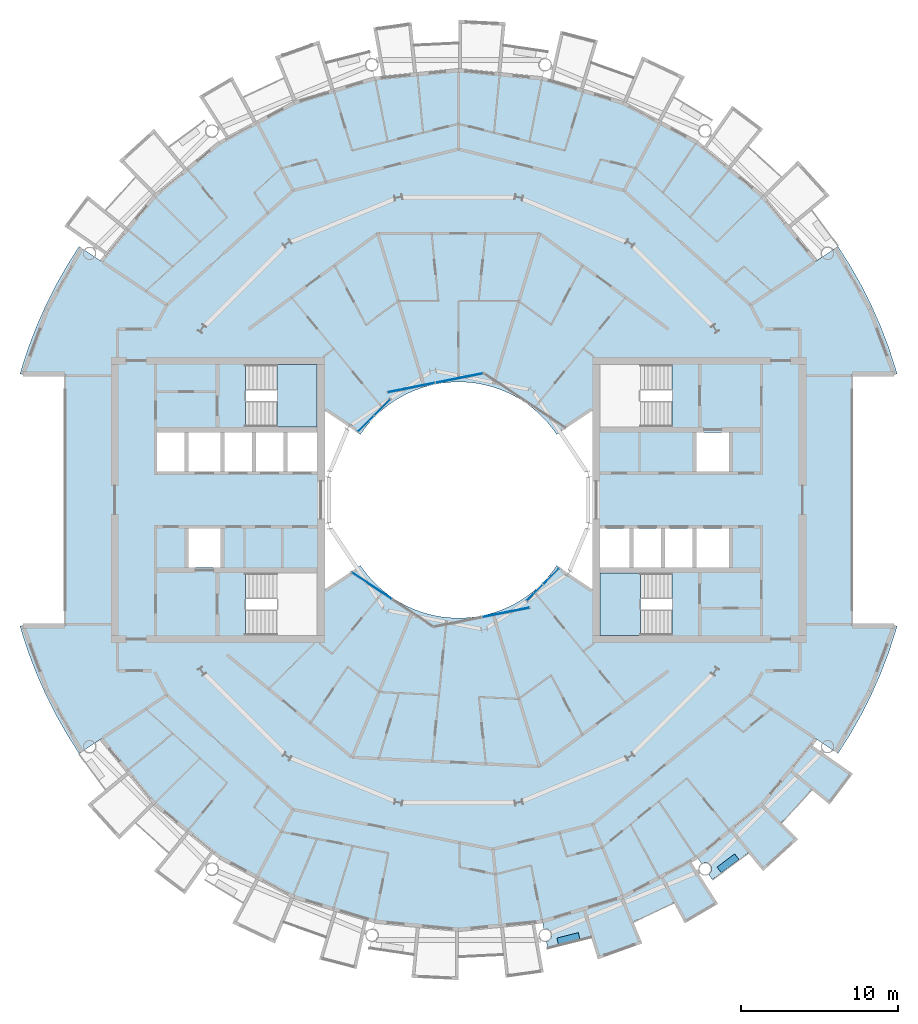
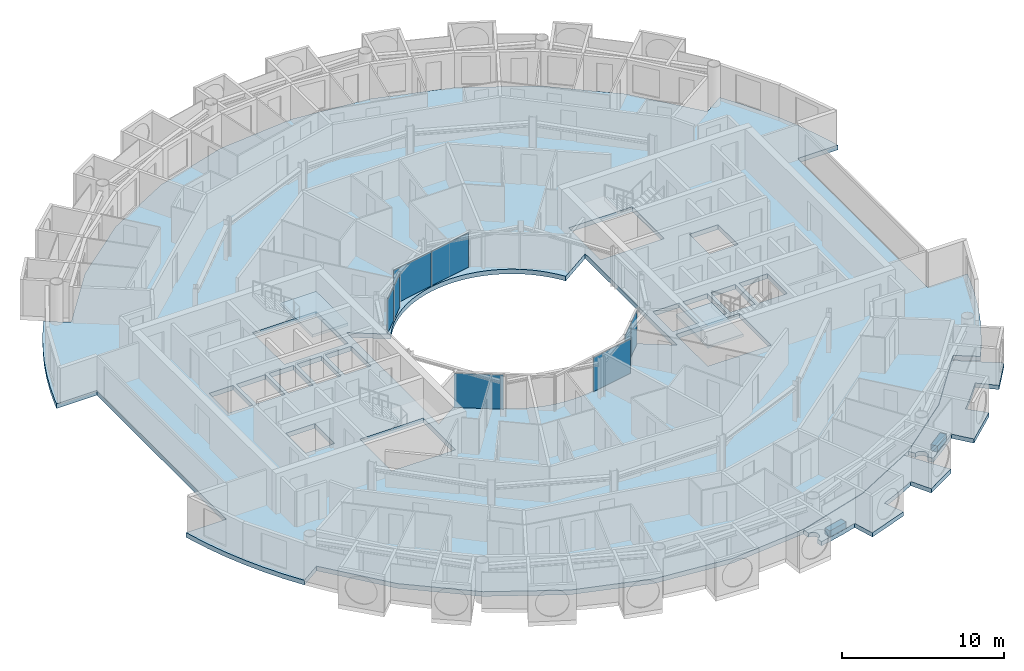
# One storey, part 11 of 26: 8 plates, 7 slabs, 7 elements without a shape of their own.
"""IFC4 building model written with IfcOpenShell, lengths in metres."""

from ifc_helpers import new_model, si_unit, direction, frame, origin, origin_2d, place, context, subcontext, project, spatial, polyline, rectangle, outline, extrude, material, layer, layer_set, type_object, element, aggregate, save


model = new_model("IFC4")

# Units and contexts
model_context = context("Model", 3, precision=1e-05, world=origin(), true_north=direction((0.0, 1.0)))
body_context = subcontext(model_context, "Body", "Model", "MODEL_VIEW")
ifc_project = project(units=[si_unit("LENGTHUNIT", "METRE"), si_unit("AREAUNIT", "SQUARE_METRE"), si_unit("VOLUMEUNIT", "CUBIC_METRE"), si_unit("PLANEANGLEUNIT", "RADIAN"), si_unit("MASSUNIT", "GRAM", prefix="KILO")], contexts=[model_context])

# Site, building, storey
site_placement = place(None, origin())
site = spatial("IfcSite", under=ifc_project, at=site_placement, CompositionType="ELEMENT")
building_placement = place(site_placement, origin())
building = spatial("IfcBuilding", under=site, at=building_placement, Name="Maasbend Ring Residences", CompositionType="ELEMENT")
storey_placement = place(building_placement, frame((0.0, 0.0, 154.35009765625)))
storey = spatial("IfcBuildingStorey", under=building, at=storey_placement, Name="L44", CompositionType="ELEMENT", Elevation=154.35009765625)

# Stair, slab
ifc_material_1 = material(Name="Concrete C40/50", Category="concrete")
stair_type = type_object("IfcStairType", Name="CORE STAIR 18 RISERS", PredefinedType="HALF_TURN_STAIR", material=ifc_material_1)
stair_1_placement = place(storey_placement, origin())
stair_1 = element("IfcStair", 1, at=stair_1_placement, inside=storey, type_object=stair_type, Name="L44 Exit stair ST-E2", PredefinedType="HALF_TURN_STAIR")
ifc_material_2 = material(Name="Concrete C40/50", Category="concrete")
ifc_layer_1 = layer(ifc_material_2, 0.199951171875)
ifc_layer_set_1 = layer_set([ifc_layer_1], Name="Concrete C40/50")
slab_type_1 = type_object("IfcSlabType", Name="CORE STAIR LANDING 200", PredefinedType="LANDING", material=ifc_layer_set_1)
slab_1_placement = place(storey_placement, frame((0.0, 0.0, 1.324951171875)))
slab_1 = element("IfcSlab", 2, at=slab_1_placement, type_object=slab_type_1, Name="ST-E2 landing 1", PredefinedType="LANDING", context=body_context, shape_type="SweptSolid", body=[
    extrude(outline(polyline([(11.550048828125, -4.64990234375), (9.0, -4.64990234375), (9.0, -8.60009765625), (11.550048828125, -8.60009765625), (11.550048828125, -4.64990234375)])), origin(), (0.0, 0.0, 1.0), 0.199951171875),
])
aggregate(stair_1, [slab_1])

stair_2_placement = place(storey_placement, origin())
stair_2 = element("IfcStair", 3, at=stair_2_placement, inside=storey, type_object=stair_type, Name="L44 Exit stair ST-W2", PredefinedType="HALF_TURN_STAIR")
slab_2_placement = place(storey_placement, frame((0.0, 0.0, 1.324951171875)))
slab_2 = element("IfcSlab", 4, at=slab_2_placement, type_object=slab_type_1, Name="ST-W2 landing 1", PredefinedType="LANDING", context=body_context, shape_type="SweptSolid", body=[
    extrude(outline(polyline([(-11.550048828125, 4.64990234375), (-9.0, 4.64990234375), (-9.0, 8.60009765625), (-11.550048828125, 8.60009765625), (-11.550048828125, 4.64990234375)])), origin(), (0.0, 0.0, 1.0), 0.199951171875),
])
aggregate(stair_2, [slab_2])

# Curtain wall, plates
ifc_material_3 = material(Name="Aluminium and clear glass", Category="aluminium")
ifc_layer_2 = layer(ifc_material_3, 0.179931640625)
ifc_layer_set_2 = layer_set([ifc_layer_2], Name="CW-W")
curtain_wall_type = type_object("IfcCurtainWallType", Name="CW-W", PredefinedType="NOTDEFINED", material=ifc_layer_set_2)
curtain_wall_1_placement = place(storey_placement, origin())
curtain_wall_1 = element("IfcCurtainWall", 5, at=curtain_wall_1_placement, inside=storey, type_object=curtain_wall_type, Name="Well curtain wall N2", PredefinedType="NOTDEFINED")
ifc_material_4 = material(Name="Glass clear laminated", Category="glass")
ifc_layer_3 = layer(ifc_material_4, 0.031982421875)
ifc_layer_set_3 = layer_set([ifc_layer_3], Name="CWP-W")
plate_type = type_object("IfcPlateType", Name="CWP-W", PredefinedType="CURTAIN_PANEL", material=ifc_layer_set_3)
plate_1_placement = place(storey_placement, frame((0.04638671875, 7.747802734375, -0.000244140625), z_axis=(0.0, 0.0, 1.0), x_axis=(-0.980785280403, -0.195090322016, 0.0)))
plate_1 = element("IfcPlate", 6, at=plate_1_placement, type_object=plate_type, Name="Glass panel well face", PredefinedType="CURTAIN_PANEL", context=body_context, shape_type="SweptSolid", body=[
    extrude(rectangle(XDim=3.053955078125, YDim=0.031982421875, at=origin_2d()), origin(), (0.0, 0.0, 1.0), 2.580078125),
])
plate_2_placement = place(storey_placement, frame((-3.0078125, 7.140380859375, -0.000244140625), z_axis=(0.0, 0.0, 1.0), x_axis=(-0.980785280403, -0.195090322016, 0.0)))
plate_2 = element("IfcPlate", 7, at=plate_2_placement, type_object=plate_type, Name="Glass panel well face", PredefinedType="CURTAIN_PANEL", context=body_context, shape_type="SweptSolid", body=[
    extrude(rectangle(XDim=3.053955078125, YDim=0.031982421875, at=origin_2d()), origin(), (0.0, 0.0, 1.0), 2.580078125),
])
aggregate(curtain_wall_1, [plate_1, plate_2])

curtain_wall_2_placement = place(storey_placement, origin())
curtain_wall_2 = element("IfcCurtainWall", 8, at=curtain_wall_2_placement, inside=storey, type_object=curtain_wall_type, Name="Well curtain wall N3", PredefinedType="NOTDEFINED")
plate_3_placement = place(storey_placement, frame((-4.84375, 5.89013671875, -0.000244140625), z_axis=(0.0, 0.0, 1.0), x_axis=(-0.707106781187, -0.707106781187, 0.0)))
plate_3 = element("IfcPlate", 9, at=plate_3_placement, type_object=plate_type, Name="Glass panel well face", PredefinedType="CURTAIN_PANEL", context=body_context, shape_type="SweptSolid", body=[
    extrude(rectangle(XDim=1.419677734375, YDim=0.031982421875, at=origin_2d()), origin(), (0.0, 0.0, 1.0), 2.580078125),
])
plate_4_placement = place(storey_placement, frame((-5.89013671875, 4.84375, -0.000244140625), z_axis=(0.0, 0.0, 1.0), x_axis=(-0.707106781187, -0.707106781187, 0.0)))
plate_4 = element("IfcPlate", 10, at=plate_4_placement, type_object=plate_type, Name="Glass panel well face", PredefinedType="CURTAIN_PANEL", context=body_context, shape_type="SweptSolid", body=[
    extrude(rectangle(XDim=1.419677734375, YDim=0.031982421875, at=origin_2d()), origin(), (0.0, 0.0, 1.0), 2.580078125),
])
aggregate(curtain_wall_2, [plate_3, plate_4])

# Curtain wall, plate
curtain_wall_3_placement = place(storey_placement, origin())
curtain_wall_3 = element("IfcCurtainWall", 11, at=curtain_wall_3_placement, inside=storey, type_object=curtain_wall_type, Name="Well curtain wall S1", PredefinedType="NOTDEFINED")
plate_5_placement = place(storey_placement, frame((-5.51123046875, -5.44580078125, -0.000244140625), z_axis=(0.0, 0.0, 1.0), x_axis=(0.831469612303, -0.55557023302, 0.0)))
plate_5 = element("IfcPlate", 12, at=plate_5_placement, type_object=plate_type, Name="Glass panel well face", PredefinedType="CURTAIN_PANEL", context=body_context, shape_type="SweptSolid", body=[
    extrude(rectangle(XDim=3.053955078125, YDim=0.031982421875, at=origin_2d()), origin(), (0.0, 0.0, 1.0), 2.580078125),
])
aggregate(curtain_wall_3, [plate_5])

curtain_wall_4_placement = place(storey_placement, origin())
curtain_wall_4 = element("IfcCurtainWall", 13, at=curtain_wall_4_placement, inside=storey, type_object=curtain_wall_type, Name="Well curtain wall S2", PredefinedType="NOTDEFINED")
plate_6_placement = place(storey_placement, frame((3.0078125, -7.140380859375, -0.000244140625), z_axis=(0.0, 0.0, 1.0), x_axis=(0.980785280403, 0.195090322016, 0.0)))
plate_6 = element("IfcPlate", 14, at=plate_6_placement, type_object=plate_type, Name="Glass panel well face", PredefinedType="CURTAIN_PANEL", context=body_context, shape_type="SweptSolid", body=[
    extrude(rectangle(XDim=3.053955078125, YDim=0.031982421875, at=origin_2d()), origin(), (0.0, 0.0, 1.0), 2.580078125),
])
aggregate(curtain_wall_4, [plate_6])

# Curtain wall, plates
curtain_wall_5_placement = place(storey_placement, origin())
curtain_wall_5 = element("IfcCurtainWall", 15, at=curtain_wall_5_placement, inside=storey, type_object=curtain_wall_type, Name="Well curtain wall S3", PredefinedType="NOTDEFINED")
plate_7_placement = place(storey_placement, frame((4.84375, -5.89013671875, -0.000244140625), z_axis=(0.0, 0.0, 1.0), x_axis=(0.707106781187, 0.707106781187, 0.0)))
plate_7 = element("IfcPlate", 16, at=plate_7_placement, type_object=plate_type, Name="Glass panel well face", PredefinedType="CURTAIN_PANEL", context=body_context, shape_type="SweptSolid", body=[
    extrude(rectangle(XDim=1.419677734375, YDim=0.031982421875, at=origin_2d()), origin(), (0.0, 0.0, 1.0), 2.580078125),
])
plate_8_placement = place(storey_placement, frame((5.89013671875, -4.84375, -0.000244140625), z_axis=(0.0, 0.0, 1.0), x_axis=(0.707106781187, 0.707106781187, 0.0)))
plate_8 = element("IfcPlate", 17, at=plate_8_placement, type_object=plate_type, Name="Glass panel well face", PredefinedType="CURTAIN_PANEL", context=body_context, shape_type="SweptSolid", body=[
    extrude(rectangle(XDim=1.419677734375, YDim=0.031982421875, at=origin_2d()), origin(), (0.0, 0.0, 1.0), 2.580078125),
])
aggregate(curtain_wall_5, [plate_7, plate_8])

# Slabs
ifc_material_5 = material(Name="Planting with climbing greenery")
ifc_layer_4 = layer(ifc_material_5, 0.449951171875)
ifc_layer_set_4 = layer_set([ifc_layer_4], Name="PLANTER-LG")
slab_type_2 = type_object("IfcSlabType", Name="PLANTER-LG", PredefinedType="USERDEFINED", material=ifc_layer_set_4)
slab_3_placement = place(storey_placement, frame((0.0, 0.0, -0.030029296875)))
element("IfcSlab", 18, at=slab_3_placement, inside=storey, type_object=slab_type_2, Name="Planter with climbing greenery 4", ObjectType="PLANTER", PredefinedType="USERDEFINED", context=body_context, shape_type="SweptSolid", body=[
    extrude(outline(polyline([(6.35888671875, -28.26708984375), (7.717041015625, -27.927001953125), (7.60791015625, -27.489990234375), (6.25, -27.8310546875), (6.35888671875, -28.26708984375)])), origin(), (0.0, 0.0, 1.0), 0.449951171875),
])
slab_4_placement = place(storey_placement, frame((0.0, 0.0, -0.030029296875)))
element("IfcSlab", 19, at=slab_4_placement, inside=storey, type_object=slab_type_2, Name="Planter with climbing greenery 5", ObjectType="PLANTER", PredefinedType="USERDEFINED", context=body_context, shape_type="SweptSolid", body=[
    extrude(outline(polyline([(16.69189453125, -23.681884765625), (17.81689453125, -22.847900390625), (17.549072265625, -22.487060546875), (16.424072265625, -23.321044921875), (16.69189453125, -23.681884765625)])), origin(), (0.0, 0.0, 1.0), 0.449951171875),
])
ifc_material_6 = material(Name="Concrete C40/50", Category="concrete")
ifc_layer_5 = layer(ifc_material_6, 0.35009765625)
ifc_layer_set_5 = layer_set([ifc_layer_5], Name="Concrete C40/50")
slab_type_3 = type_object("IfcSlabType", Name="Post-tensioned flat plate 350", PredefinedType="FLOOR", material=ifc_layer_set_5)
slab_5_placement = place(storey_placement, frame((0.0, 0.0, -0.35009765625)))
element("IfcSlab", 20, at=slab_5_placement, inside=storey, type_object=slab_type_3, Name="Floor slab L44", PredefinedType="FLOOR", context=body_context, shape_type="SweptSolid", body=[
    extrude(outline(polyline([(24.8740234375, -14.908935546875), (25.57568359375, -13.67041015625), (26.2158203125, -12.399169921875), (26.79248046875, -11.097900390625), (27.3046875, -9.769775390625), (27.751220703125, -8.418212890625), (27.866943359375, -8.0), (25.0, -8.0), (25.0, 8.0), (27.866943359375, 8.0), (27.751220703125, 8.418212890625), (27.3046875, 9.769775390625), (26.79248046875, 11.097900390625), (26.2158203125, 12.399169921875), (25.57568359375, 13.67041015625), (24.8740234375, 14.908935546875), (24.112548828125, 16.111572265625), (22.69921875, 15.1669921875), (19.303955078125, 19.303955078125), (15.1669921875, 22.69921875), (10.447265625, 25.221923828125), (5.325927734375, 26.775390625), (0.0, 27.300048828125), (-5.325927734375, 26.775390625), (-10.447265625, 25.221923828125), (-15.1669921875, 22.69921875), (-19.303955078125, 19.303955078125), (-22.69921875, 15.1669921875), (-24.112548828125, 16.111572265625), (-24.8740234375, 14.908935546875), (-25.57568359375, 13.67041015625), (-26.2158203125, 12.399169921875), (-26.79248046875, 11.097900390625), (-27.3046875, 9.769775390625), (-27.751220703125, 8.418212890625), (-27.866943359375, 8.0), (-25.0, 8.0), (-25.0, -8.0), (-27.866943359375, -8.0), (-27.751220703125, -8.418212890625), (-27.3046875, -9.769775390625), (-26.79248046875, -11.097900390625), (-26.2158203125, -12.399169921875), (-25.57568359375, -13.67041015625), (-24.8740234375, -14.908935546875), (-24.112548828125, -16.111572265625), (-22.69921875, -15.1669921875), (-19.303955078125, -19.303955078125), (-15.1669921875, -22.69921875), (-10.447265625, -25.221923828125), (-5.325927734375, -26.775390625), (0.0, -27.300048828125), (5.325927734375, -26.775390625), (10.447265625, -25.221923828125), (15.1669921875, -22.69921875), (19.303955078125, -19.303955078125), (22.69921875, -15.1669921875), (24.112548828125, -16.111572265625), (24.8740234375, -14.908935546875)]), holes=[polyline([(15.125, 1.824951171875), (15.125, 4.27490234375), (17.175048828125, 4.27490234375), (17.175048828125, 1.824951171875), (15.125, 1.824951171875)]), polyline([(15.125, -4.27490234375), (15.125, -1.824951171875), (17.175048828125, -1.824951171875), (17.175048828125, -4.27490234375), (15.125, -4.27490234375)]), polyline([(13.125, -4.27490234375), (13.125, -1.824951171875), (14.875, -1.824951171875), (14.875, -4.27490234375), (13.125, -4.27490234375)]), polyline([(13.550048828125, 8.60009765625), (13.550048828125, 4.64990234375), (9.0, 4.64990234375), (9.0, 8.60009765625), (13.550048828125, 8.60009765625)]), polyline([(13.550048828125, -4.64990234375), (13.550048828125, -8.60009765625), (9.0, -8.60009765625), (9.0, -4.64990234375), (13.550048828125, -4.64990234375)]), polyline([(11.125, -4.27490234375), (11.125, -1.824951171875), (12.875, -1.824951171875), (12.875, -4.27490234375), (11.125, -4.27490234375)]), polyline([(9.0, -4.27490234375), (9.0, -1.824951171875), (10.875, -1.824951171875), (10.875, -4.27490234375), (9.0, -4.27490234375)]), polyline([(6.024169921875, 4.4677734375), (6.236083984375, 4.166748046875), (8.5, 5.679443359375), (8.5, -5.679443359375), (6.236083984375, -4.166748046875), (6.024169921875, -4.4677734375), (5.797607421875, -4.7578125), (5.55712890625, -5.03662109375), (5.30322265625, -5.30322265625), (5.03662109375, -5.55712890625), (4.7578125, -5.797607421875), (4.4677734375, -6.024169921875), (4.166748046875, -6.236083984375), (3.855712890625, -6.43310546875), (3.535400390625, -6.614501953125), (3.206787109375, -6.77978515625), (2.8701171875, -6.92919921875), (2.526611328125, -7.0615234375), (2.177001953125, -7.177001953125), (1.822509765625, -7.275146484375), (1.463134765625, -7.35595703125), (1.1005859375, -7.418701171875), (0.735107421875, -7.4638671875), (0.367919921875, -7.490966796875), (0.0, -7.5), (-0.367919921875, -7.490966796875), (-0.735107421875, -7.4638671875), (-1.1005859375, -7.418701171875), (-1.463134765625, -7.35595703125), (-1.822509765625, -7.275146484375), (-2.177001953125, -7.177001953125), (-2.526611328125, -7.0615234375), (-2.8701171875, -6.92919921875), (-3.206787109375, -6.77978515625), (-3.535400390625, -6.614501953125), (-3.855712890625, -6.43310546875), (-4.166748046875, -6.236083984375), (-4.4677734375, -6.024169921875), (-4.7578125, -5.797607421875), (-5.03662109375, -5.55712890625), (-5.30322265625, -5.30322265625), (-5.55712890625, -5.03662109375), (-5.797607421875, -4.7578125), (-6.024169921875, -4.4677734375), (-6.236083984375, -4.166748046875), (-8.5, -5.679443359375), (-8.5, 5.679443359375), (-6.236083984375, 4.166748046875), (-6.024169921875, 4.4677734375), (-5.797607421875, 4.7578125), (-5.55712890625, 5.03662109375), (-5.30322265625, 5.30322265625), (-5.03662109375, 5.55712890625), (-4.7578125, 5.797607421875), (-4.4677734375, 6.024169921875), (-4.166748046875, 6.236083984375), (-3.855712890625, 6.43310546875), (-3.535400390625, 6.614501953125), (-3.206787109375, 6.77978515625), (-2.8701171875, 6.92919921875), (-2.526611328125, 7.0615234375), (-2.177001953125, 7.177001953125), (-1.822509765625, 7.275146484375), (-1.463134765625, 7.35595703125), (-1.1005859375, 7.418701171875), (-0.735107421875, 7.4638671875), (-0.367919921875, 7.490966796875), (0.0, 7.5), (0.367919921875, 7.490966796875), (0.735107421875, 7.4638671875), (1.1005859375, 7.418701171875), (1.463134765625, 7.35595703125), (1.822509765625, 7.275146484375), (2.177001953125, 7.177001953125), (2.526611328125, 7.0615234375), (2.8701171875, 6.92919921875), (3.206787109375, 6.77978515625), (3.535400390625, 6.614501953125), (3.855712890625, 6.43310546875), (4.166748046875, 6.236083984375), (4.4677734375, 6.024169921875), (4.7578125, 5.797607421875), (5.03662109375, 5.55712890625), (5.30322265625, 5.30322265625), (5.55712890625, 5.03662109375), (5.797607421875, 4.7578125), (6.024169921875, 4.4677734375)]), polyline([(-13.550048828125, 4.64990234375), (-13.550048828125, 8.60009765625), (-9.0, 8.60009765625), (-9.0, 4.64990234375), (-13.550048828125, 4.64990234375)]), polyline([(-9.0, -8.60009765625), (-13.550048828125, -8.60009765625), (-13.550048828125, -4.64990234375), (-9.0, -4.64990234375), (-9.0, -8.60009765625)]), polyline([(-9.0, 4.27490234375), (-9.0, 1.824951171875), (-10.875, 1.824951171875), (-10.875, 4.27490234375), (-9.0, 4.27490234375)]), polyline([(-11.125, 4.27490234375), (-11.125, 1.824951171875), (-12.875, 1.824951171875), (-12.875, 4.27490234375), (-11.125, 4.27490234375)]), polyline([(-13.125, 4.27490234375), (-13.125, 1.824951171875), (-14.875, 1.824951171875), (-14.875, 4.27490234375), (-13.125, 4.27490234375)]), polyline([(-15.125, 4.27490234375), (-15.125, 1.824951171875), (-17.175048828125, 1.824951171875), (-17.175048828125, 4.27490234375), (-15.125, 4.27490234375)]), polyline([(-15.125, -1.824951171875), (-15.125, -4.27490234375), (-17.175048828125, -4.27490234375), (-17.175048828125, -1.824951171875), (-15.125, -1.824951171875)]), polyline([(-17.425048828125, 4.27490234375), (-17.425048828125, 1.824951171875), (-19.14990234375, 1.824951171875), (-19.14990234375, 4.27490234375), (-17.425048828125, 4.27490234375)])]), origin(), (0.0, 0.0, 1.0), 0.35009765625),
])
ifc_material_7 = material(Name="Concrete C40/50", Category="concrete")
ifc_layer_6 = layer(ifc_material_7, 0.199951171875)
ifc_layer_set_6 = layer_set([ifc_layer_6], Name="Concrete C40/50")
slab_type_4 = type_object("IfcSlabType", Name="SL-LOGGIA", PredefinedType="FLOOR", material=ifc_layer_set_6)
slab_6_placement = place(storey_placement, frame((0.0, 0.0, -0.35009765625)))
element("IfcSlab", 21, at=slab_6_placement, inside=storey, type_object=slab_type_4, Name="Loggia floor 2", PredefinedType="FLOOR", context=body_context, shape_type="SweptSolid", body=[
    extrude(outline(polyline([(10.447021484375, -25.221923828125), (12.806884765625, -23.9609375), (14.73291015625, -22.930908203125), (14.73291015625, -22.930908203125), (14.73291015625, -22.930908203125), (16.487060546875, -25.659912109375), (16.487060546875, -25.659912109375), (16.487060546875, -25.659912109375), (14.3779296875, -26.89892578125), (14.3779296875, -26.89892578125), (14.3779296875, -26.89892578125), (13.6708984375, -25.575927734375), (13.6708984375, -25.575927734375), (13.6708984375, -25.575927734375), (13.6708984375, -25.575927734375), (13.6708984375, -25.575927734375), (13.6708984375, -25.575927734375), (13.6708984375, -25.575927734375), (13.669921875, -25.575927734375), (13.669921875, -25.575927734375), (13.669921875, -25.575927734375), (13.669921875, -25.575927734375), (13.669921875, -25.575927734375), (13.669921875, -25.575927734375), (13.669921875, -25.575927734375), (13.669921875, -25.575927734375), (13.669921875, -25.575927734375), (13.669921875, -25.575927734375), (12.825927734375, -26.009033203125), (12.825927734375, -26.009033203125), (11.968994140625, -26.4150390625), (11.968994140625, -26.4150390625), (11.097900390625, -26.7919921875), (11.097900390625, -26.7919921875), (11.097900390625, -26.7919921875), (11.097900390625, -26.7919921875), (11.097900390625, -26.7919921875), (11.097900390625, -26.7919921875), (11.097900390625, -26.7919921875), (11.097900390625, -26.79296875), (11.097900390625, -26.79296875), (11.097900390625, -26.79296875), (11.097900390625, -26.79296875), (11.097900390625, -26.79296875), (11.097900390625, -26.79296875), (11.097900390625, -26.79296875), (11.097900390625, -26.79296875), (11.097900390625, -26.79296875), (11.097900390625, -26.79296875), (11.672119140625, -28.177978515625), (11.672119140625, -28.177978515625), (11.672119140625, -28.177978515625), (8.85400390625, -29.18701171875), (8.85400390625, -29.18701171875), (8.85400390625, -29.18701171875), (8.41796875, -27.751953125), (8.41796875, -27.751953125), (8.41796875, -27.751953125), (8.41796875, -27.751953125), (8.41796875, -27.751953125), (8.41796875, -27.751953125), (8.41796875, -27.751953125), (8.41796875, -27.7509765625), (8.41796875, -27.7509765625), (8.41796875, -27.7509765625), (8.41796875, -27.7509765625), (8.41796875, -27.7509765625), (8.41796875, -27.7509765625), (8.41796875, -27.7509765625), (8.41796875, -27.7509765625), (8.41796875, -27.7509765625), (8.41796875, -27.7509765625), (7.506103515625, -28.011962890625), (7.506103515625, -28.011962890625), (6.5849609375, -28.241943359375), (6.5849609375, -28.241943359375), (5.657958984375, -28.443115234375), (5.657958984375, -28.443115234375), (5.657958984375, -28.443115234375), (5.5810546875, -28.056884765625), (5.591064453125, -28.054931640625), (5.60009765625, -28.052001953125), (5.610107421875, -28.050048828125), (5.6201171875, -28.047119140625), (5.62890625, -28.0439453125), (5.637939453125, -28.041015625), (5.64794921875, -28.037109375), (5.656982421875, -28.033935546875), (5.666015625, -28.030029296875), (5.675048828125, -28.02587890625), (5.68408203125, -28.02099609375), (5.693115234375, -28.01708984375), (5.701904296875, -28.011962890625), (5.7099609375, -28.007080078125), (5.718994140625, -28.001953125), (5.72705078125, -27.99609375), (5.736083984375, -27.989990234375), (5.743896484375, -27.985107421875), (5.751953125, -27.97900390625), (5.759033203125, -27.971923828125), (5.76708984375, -27.966064453125), (5.77392578125, -27.958984375), (5.781982421875, -27.952880859375), (5.7890625, -27.946044921875), (5.7958984375, -27.93798828125), (5.802978515625, -27.930908203125), (5.80908203125, -27.924072265625), (5.81591796875, -27.916015625), (5.822021484375, -27.907958984375), (5.827880859375, -27.89990234375), (5.833984375, -27.89208984375), (5.839111328125, -27.884033203125), (5.844970703125, -27.8759765625), (5.85009765625, -27.866943359375), (5.85498046875, -27.85791015625), (5.860107421875, -27.85009765625), (5.864990234375, -27.841064453125), (5.868896484375, -27.83203125), (5.873046875, -27.822998046875), (5.876953125, -27.81396484375), (5.881103515625, -27.803955078125), (5.884033203125, -27.794921875), (5.886962890625, -27.785888671875), (5.889892578125, -27.77587890625), (5.89306640625, -27.76708984375), (5.89599609375, -27.757080078125), (5.89794921875, -27.7470703125), (5.89990234375, -27.737060546875), (5.902099609375, -27.72802734375), (5.904052734375, -27.718017578125), (5.905029296875, -27.7080078125), (5.906005859375, -27.697998046875), (5.906982421875, -27.68798828125), (5.907958984375, -27.677978515625), (5.907958984375, -27.66796875), (5.907958984375, -27.657958984375), (5.907958984375, -27.64794921875), (5.907958984375, -27.637939453125), (5.906982421875, -27.6279296875), (5.906005859375, -27.617919921875), (5.905029296875, -27.60791015625), (5.904052734375, -27.597900390625), (5.902099609375, -27.589111328125), (5.89990234375, -27.5791015625), (5.89794921875, -27.569091796875), (5.89599609375, -27.55908203125), (5.89306640625, -27.550048828125), (5.889892578125, -27.5400390625), (5.886962890625, -27.531005859375), (5.884033203125, -27.52099609375), (5.881103515625, -27.511962890625), (5.876953125, -27.5029296875), (5.873046875, -27.492919921875), (5.868896484375, -27.48388671875), (5.864990234375, -27.47509765625), (5.860107421875, -27.466064453125), (5.85498046875, -27.4580078125), (5.85009765625, -27.448974609375), (5.844970703125, -27.44091796875), (5.839111328125, -27.431884765625), (5.833984375, -27.424072265625), (5.827880859375, -27.416015625), (5.822021484375, -27.407958984375), (5.81591796875, -27.39990234375), (5.80908203125, -27.39306640625), (5.802978515625, -27.385009765625), (5.7958984375, -27.3779296875), (5.7890625, -27.37109375), (5.781982421875, -27.364013671875), (5.77392578125, -27.35693359375), (5.76708984375, -27.35009765625), (5.759033203125, -27.343994140625), (5.751953125, -27.337890625), (5.743896484375, -27.33203125), (5.736083984375, -27.325927734375), (5.72705078125, -27.320068359375), (5.718994140625, -27.31494140625), (5.7099609375, -27.30908203125), (5.701904296875, -27.303955078125), (5.693115234375, -27.300048828125), (5.68408203125, -27.294921875), (5.675048828125, -27.291015625), (5.666015625, -27.285888671875), (5.656982421875, -27.282958984375), (5.64794921875, -27.279052734375), (5.637939453125, -27.27490234375), (5.62890625, -27.27197265625), (5.6201171875, -27.26904296875), (5.610107421875, -27.26611328125), (5.60009765625, -27.263916015625), (5.591064453125, -27.260986328125), (5.5810546875, -27.259033203125), (5.571044921875, -27.258056640625), (5.56103515625, -27.256103515625), (5.551025390625, -27.2548828125), (5.541015625, -27.25390625), (5.531005859375, -27.2529296875), (5.52099609375, -27.251953125), (5.510986328125, -27.251953125), (5.501953125, -27.251953125), (5.491943359375, -27.251953125), (5.48193359375, -27.251953125), (5.471923828125, -27.2529296875), (5.4619140625, -27.25390625), (5.451904296875, -27.2548828125), (5.44189453125, -27.256103515625), (5.431884765625, -27.258056640625), (5.422119140625, -27.259033203125), (5.325927734375, -26.77490234375), (5.325927734375, -26.77490234375), (5.325927734375, -26.77490234375), (7.886962890625, -25.9990234375), (10.447021484375, -25.221923828125), (10.447021484375, -25.221923828125), (10.447021484375, -25.221923828125)])), origin(), (0.0, 0.0, 1.0), 0.320068359375),
])
slab_7_placement = place(storey_placement, frame((0.0, 0.0, -0.35009765625)))
element("IfcSlab", 22, at=slab_7_placement, inside=storey, type_object=slab_type_4, Name="Loggia floor 5", PredefinedType="FLOOR", context=body_context, shape_type="SweptSolid", body=[
    extrude(outline(polyline([(19.303955078125, -19.303955078125), (21.001953125, -17.236083984375), (22.386962890625, -15.547119140625), (22.386962890625, -15.547119140625), (22.386962890625, -15.547119140625), (25.051025390625, -17.39794921875), (25.051025390625, -17.39794921875), (25.051025390625, -17.39794921875), (23.576904296875, -19.34912109375), (23.576904296875, -19.34912109375), (23.576904296875, -19.34912109375), (22.41796875, -18.39794921875), (22.41796875, -18.39794921875), (22.41796875, -18.39794921875), (22.41796875, -18.39794921875), (22.41796875, -18.39794921875), (22.4169921875, -18.39794921875), (22.4169921875, -18.39794921875), (22.4169921875, -18.39794921875), (22.4169921875, -18.39794921875), (22.4169921875, -18.39794921875), (22.4169921875, -18.39794921875), (22.4169921875, -18.39794921875), (22.4169921875, -18.39794921875), (22.4169921875, -18.39794921875), (22.4169921875, -18.39794921875), (22.4169921875, -18.39794921875), (22.4169921875, -18.39794921875), (21.802978515625, -19.12109375), (21.802978515625, -19.12109375), (21.166015625, -19.823974609375), (21.166015625, -19.823974609375), (20.506103515625, -20.506103515625), (20.506103515625, -20.506103515625), (20.506103515625, -20.506103515625), (20.506103515625, -20.506103515625), (20.506103515625, -20.506103515625), (20.506103515625, -20.506103515625), (20.506103515625, -20.506103515625), (20.506103515625, -20.506103515625), (20.506103515625, -20.506103515625), (20.506103515625, -20.506103515625), (20.506103515625, -20.506103515625), (20.506103515625, -20.506103515625), (20.506103515625, -20.506103515625), (20.506103515625, -20.506103515625), (20.506103515625, -20.506103515625), (20.506103515625, -20.506103515625), (20.506103515625, -20.506103515625), (21.56689453125, -21.56689453125), (21.56689453125, -21.56689453125), (21.56689453125, -21.56689453125), (19.34912109375, -23.576904296875), (19.34912109375, -23.576904296875), (19.34912109375, -23.576904296875), (18.39794921875, -22.41796875), (18.39794921875, -22.41796875), (18.39794921875, -22.41796875), (18.39794921875, -22.41796875), (18.39794921875, -22.41796875), (18.39794921875, -22.41796875), (18.39697265625, -22.41796875), (18.39697265625, -22.41796875), (18.39697265625, -22.41796875), (18.39697265625, -22.41796875), (18.39697265625, -22.41796875), (18.39697265625, -22.41796875), (18.39697265625, -22.41796875), (18.39697265625, -22.41796875), (18.39697265625, -22.41796875), (18.39697265625, -22.41796875), (18.39697265625, -22.41796875), (17.654052734375, -23.007080078125), (17.654052734375, -23.007080078125), (16.89208984375, -23.572998046875), (16.89208984375, -23.572998046875), (16.112060546875, -24.113037109375), (16.112060546875, -24.113037109375), (16.112060546875, -24.113037109375), (15.89306640625, -23.784912109375), (15.89306640625, -23.784912109375), (15.90087890625, -23.780029296875), (15.908935546875, -23.77392578125), (15.9169921875, -23.76806640625), (15.925048828125, -23.761962890625), (15.93310546875, -23.7548828125), (15.93994140625, -23.7490234375), (15.947021484375, -23.741943359375), (15.955078125, -23.735107421875), (15.9619140625, -23.72802734375), (15.968017578125, -23.719970703125), (15.97509765625, -23.712890625), (15.98095703125, -23.705078125), (15.988037109375, -23.697021484375), (15.993896484375, -23.68994140625), (15.9990234375, -23.680908203125), (16.0048828125, -23.673095703125), (16.010986328125, -23.6650390625), (16.01611328125, -23.656005859375), (16.02099609375, -23.64794921875), (16.02587890625, -23.638916015625), (16.030029296875, -23.6298828125), (16.034912109375, -23.62109375), (16.0390625, -23.612060546875), (16.04296875, -23.60302734375), (16.0458984375, -23.593994140625), (16.050048828125, -23.583984375), (16.052978515625, -23.574951171875), (16.055908203125, -23.56494140625), (16.05908203125, -23.555908203125), (16.06103515625, -23.5458984375), (16.06396484375, -23.535888671875), (16.06591796875, -23.527099609375), (16.068115234375, -23.51708984375), (16.069091796875, -23.507080078125), (16.071044921875, -23.4970703125), (16.072021484375, -23.487060546875), (16.072021484375, -23.47705078125), (16.072998046875, -23.467041015625), (16.072998046875, -23.45703125), (16.073974609375, -23.447021484375), (16.072998046875, -23.43701171875), (16.072998046875, -23.427001953125), (16.072021484375, -23.4169921875), (16.072021484375, -23.407958984375), (16.071044921875, -23.39794921875), (16.069091796875, -23.387939453125), (16.068115234375, -23.3779296875), (16.06591796875, -23.367919921875), (16.06396484375, -23.35791015625), (16.06103515625, -23.34912109375), (16.05908203125, -23.339111328125), (16.055908203125, -23.3291015625), (16.052978515625, -23.320068359375), (16.050048828125, -23.31005859375), (16.0458984375, -23.301025390625), (16.04296875, -23.2919921875), (16.0390625, -23.282958984375), (16.034912109375, -23.27392578125), (16.030029296875, -23.264892578125), (16.02587890625, -23.256103515625), (16.02099609375, -23.2470703125), (16.01611328125, -23.238037109375), (16.010986328125, -23.22998046875), (16.0048828125, -23.221923828125), (15.9990234375, -23.212890625), (15.993896484375, -23.205078125), (15.988037109375, -23.197021484375), (15.98095703125, -23.18994140625), (15.97509765625, -23.181884765625), (15.968017578125, -23.174072265625), (15.9619140625, -23.1669921875), (15.955078125, -23.159912109375), (15.947021484375, -23.153076171875), (15.93994140625, -23.14599609375), (15.93310546875, -23.139892578125), (15.925048828125, -23.133056640625), (15.9169921875, -23.126953125), (15.908935546875, -23.12109375), (15.90087890625, -23.114990234375), (15.89306640625, -23.10888671875), (15.885009765625, -23.10400390625), (15.8759765625, -23.09912109375), (15.866943359375, -23.093994140625), (15.85888671875, -23.089111328125), (15.85009765625, -23.083984375), (15.841064453125, -23.080078125), (15.83203125, -23.075927734375), (15.822998046875, -23.072021484375), (15.81298828125, -23.068115234375), (15.803955078125, -23.06494140625), (15.794921875, -23.06103515625), (15.784912109375, -23.05810546875), (15.77587890625, -23.055908203125), (15.76611328125, -23.052978515625), (15.756103515625, -23.051025390625), (15.74609375, -23.049072265625), (15.737060546875, -23.047119140625), (15.72705078125, -23.044921875), (15.717041015625, -23.0439453125), (15.70703125, -23.04296875), (15.697021484375, -23.0419921875), (15.68701171875, -23.041015625), (15.677001953125, -23.041015625), (15.6669921875, -23.041015625), (15.656982421875, -23.041015625), (15.64697265625, -23.041015625), (15.636962890625, -23.0419921875), (15.626953125, -23.04296875), (15.616943359375, -23.0439453125), (15.60693359375, -23.044921875), (15.597900390625, -23.047119140625), (15.587890625, -23.049072265625), (15.577880859375, -23.051025390625), (15.568115234375, -23.052978515625), (15.55908203125, -23.055908203125), (15.549072265625, -23.05810546875), (15.5400390625, -23.06103515625), (15.530029296875, -23.06494140625), (15.52099609375, -23.068115234375), (15.511962890625, -23.072021484375), (15.501953125, -23.075927734375), (15.492919921875, -23.080078125), (15.48388671875, -23.083984375), (15.47509765625, -23.089111328125), (15.467041015625, -23.093994140625), (15.4580078125, -23.09912109375), (15.449951171875, -23.10400390625), (15.44091796875, -23.10888671875), (15.44091796875, -23.10888671875), (15.1669921875, -22.698974609375), (15.1669921875, -22.698974609375), (15.1669921875, -22.698974609375), (17.236083984375, -21.001953125), (19.303955078125, -19.303955078125), (19.303955078125, -19.303955078125), (19.303955078125, -19.303955078125)])), origin(), (0.0, 0.0, 1.0), 0.320068359375),
])

save(model, "model.ifc")
